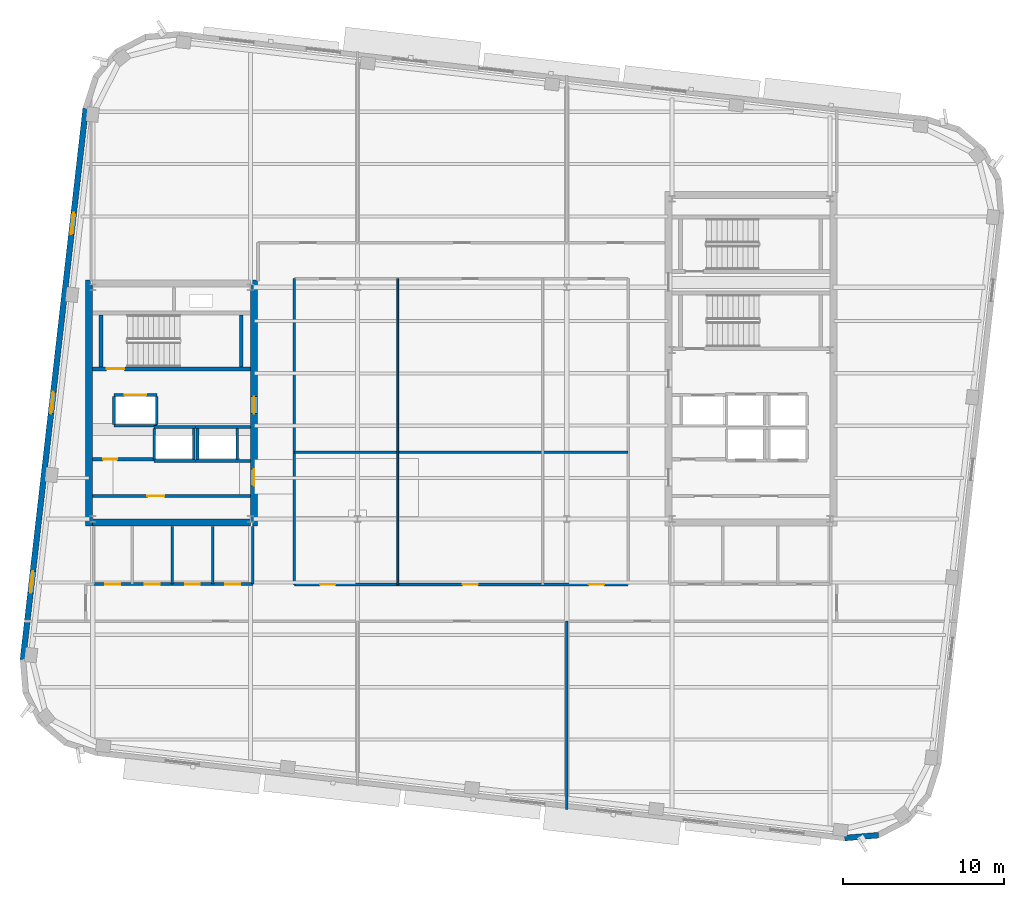
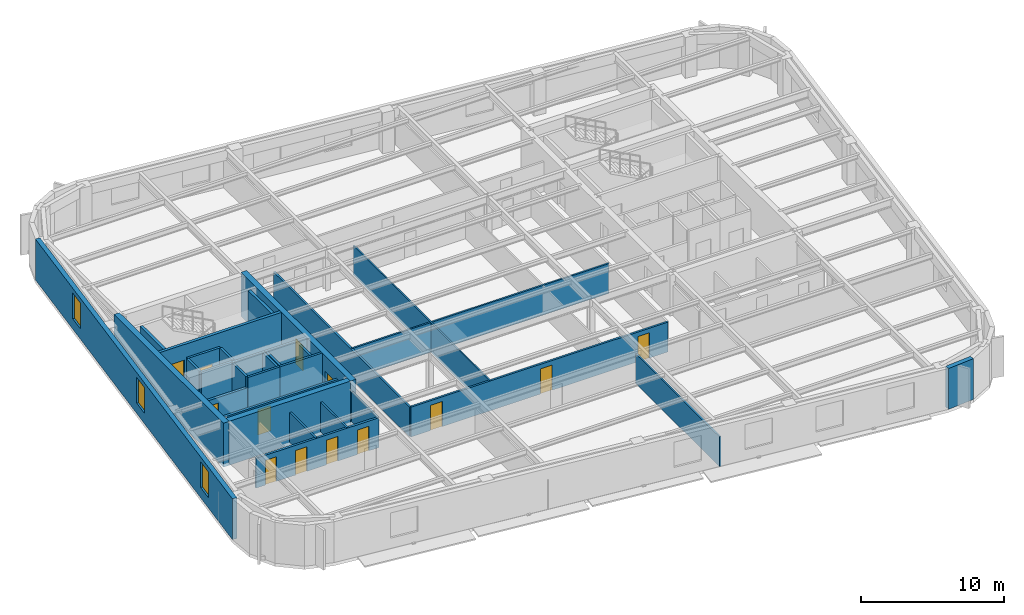
# One storey, part 6 of 14: 31 walls, 13 doors, 3 windows, 16 openings.
"""IFC4 building model written with IfcOpenShell, lengths in metres."""

from ifc_helpers import new_model, si_unit, direction, frame, frame_2d, origin, place, context, subcontext, project, spatial, rectangle, extrude, material, layer, layer_set, type_object, element, fill, save


model = new_model("IFC4")

# Units and contexts
model_context = context("Model", 3, precision=1e-05, world=origin(), true_north=direction((0.0, 1.0)))
body_context = subcontext(model_context, "Body", "Model", "MODEL_VIEW")
ifc_project = project(units=[si_unit("LENGTHUNIT", "METRE"), si_unit("AREAUNIT", "SQUARE_METRE"), si_unit("VOLUMEUNIT", "CUBIC_METRE"), si_unit("PLANEANGLEUNIT", "RADIAN"), si_unit("MASSUNIT", "GRAM", prefix="KILO")], contexts=[model_context])

# Site, building, storey
site_placement = place(None, origin())
site = spatial("IfcSite", under=ifc_project, at=site_placement, CompositionType="ELEMENT")
building_placement = place(site_placement, origin())
building = spatial("IfcBuilding", under=site, at=building_placement, Name="Kolvaren Arena Tower", CompositionType="ELEMENT")
storey_placement = place(building_placement, frame((0.0, 0.0, 247.199951171875)))
storey = spatial("IfcBuildingStorey", under=building, at=storey_placement, Name="L60", CompositionType="ELEMENT", Elevation=247.199951171875)

# Wall, openings, doors
ifc_material_1 = material(Name="Gypsum board acoustic assembly", Category="gypsum")
ifc_layer_1 = layer(ifc_material_1, 0.159912109375)
ifc_layer_set_1 = layer_set([ifc_layer_1], Name="Gypsum board acoustic assembly")
wall_type_1 = type_object("IfcWallType", Name="CORR-160", PredefinedType="PARTITIONING", material=ifc_layer_set_1)
wall_1_placement = place(storey_placement, frame((27.080078125, 15.3798828125, 0.0), z_axis=(0.0, 0.0, 1.0), x_axis=(1.0, 0.0, 0.0)))
wall_1 = element("IfcWall", 1, at=wall_1_placement, inside=storey, type_object=wall_type_1, Name="Interior Partition Wall (L60)", PredefinedType="PARTITIONING", context=body_context, shape_type="SweptSolid", body=[
    extrude(rectangle(XDim=20.739990234375, YDim=0.159912109375, at=frame_2d((10.3701171875, 0.0))), origin(), (0.0, 0.0, 1.0), 2.5400390625),
])
opening_1_placement = place(wall_1_placement, frame((1.594970703125, 0.0, 0.0)))
opening_1 = element("IfcOpeningElement", 2, at=opening_1_placement, cuts=wall_1, Name="Opening D05", PredefinedType="OPENING", context=body_context, shape_type="SweptSolid", body=[
    extrude(rectangle(XDim=0.949951171875, YDim=2.14990234375, at=frame_2d((0.47509765625, 1.074951171875))), frame((0.0, 0.08984375, 0.0), z_axis=(0.0, -1.0, 0.0), x_axis=(1.0, 0.0, 0.0)), (0.0, 0.0, 1.0), 0.179931640625),
])
opening_2_placement = place(wall_1_placement, frame((10.445068359375, 0.0, 0.0)))
opening_2 = element("IfcOpeningElement", 3, at=opening_2_placement, cuts=wall_1, Name="Opening D05", PredefinedType="OPENING", context=body_context, shape_type="SweptSolid", body=[
    extrude(rectangle(XDim=0.949951171875, YDim=2.14990234375, at=frame_2d((0.47509765625, 1.074951171875))), frame((0.0, 0.08984375, 0.0), z_axis=(0.0, -1.0, 0.0), x_axis=(1.0, 0.0, 0.0)), (0.0, 0.0, 1.0), 0.179931640625),
])
opening_3_placement = place(wall_1_placement, frame((18.294921875, 0.0, 0.0)))
opening_3 = element("IfcOpeningElement", 4, at=opening_3_placement, cuts=wall_1, Name="Opening D05", PredefinedType="OPENING", context=body_context, shape_type="SweptSolid", body=[
    extrude(rectangle(XDim=0.949951171875, YDim=2.14990234375, at=frame_2d((0.47509765625, 1.074951171875))), frame((0.0, 0.08984375, 0.0), z_axis=(0.0, -1.0, 0.0), x_axis=(1.0, 0.0, 0.0)), (0.0, 0.0, 1.0), 0.179931640625),
])
ifc_material_2 = material(Name="Solid-core oak acoustic office door", Category="wood")
door_type_1 = type_object("IfcDoorType", Name="DOOR-OF-095", OperationType="NOTDEFINED", PredefinedType="DOOR", material=ifc_material_2)
door_1_placement = place(opening_1_placement, origin())
door_1 = element("IfcDoor", 5, at=door_1_placement, inside=storey, type_object=door_type_1, Name="Client Lounge Door (L60)", OperationType="SINGLE_SWING_LEFT", OverallHeight=2.14990234375, OverallWidth=0.949951171875, PredefinedType="DOOR", context=body_context, shape_type="SweptSolid", body=[
    extrude(rectangle(XDim=0.949951171875, YDim=2.14990234375, at=frame_2d((0.47509765625, 1.074951171875))), frame((0.0, 0.02490234375, 0.0), z_axis=(0.0, -1.0, 0.0), x_axis=(1.0, 0.0, 0.0)), (0.0, 0.0, 1.0), 0.050048828125),
])
fill(opening_1, door_1)
door_2_placement = place(opening_2_placement, origin())
door_2 = element("IfcDoor", 6, at=door_2_placement, inside=storey, type_object=door_type_1, Name="Open Plan Office Door (L60)", OperationType="SINGLE_SWING_LEFT", OverallHeight=2.14990234375, OverallWidth=0.949951171875, PredefinedType="DOOR", context=body_context, shape_type="SweptSolid", body=[
    extrude(rectangle(XDim=0.949951171875, YDim=2.14990234375, at=frame_2d((0.47509765625, 1.074951171875))), frame((0.0, 0.02490234375, 0.0), z_axis=(0.0, -1.0, 0.0), x_axis=(1.0, 0.0, 0.0)), (0.0, 0.0, 1.0), 0.050048828125),
])
fill(opening_2, door_2)
door_3_placement = place(opening_3_placement, origin())
door_3 = element("IfcDoor", 7, at=door_3_placement, inside=storey, type_object=door_type_1, Name="Breakout Pantry and Kitchen Door (L60)", OperationType="SINGLE_SWING_LEFT", OverallHeight=2.14990234375, OverallWidth=0.949951171875, PredefinedType="DOOR", context=body_context, shape_type="SweptSolid", body=[
    extrude(rectangle(XDim=0.949951171875, YDim=2.14990234375, at=frame_2d((0.47509765625, 1.074951171875))), frame((0.0, 0.02490234375, 0.0), z_axis=(0.0, -1.0, 0.0), x_axis=(1.0, 0.0, 0.0)), (0.0, 0.0, 1.0), 0.050048828125),
])
fill(opening_3, door_3)

# Walls
wall_2_placement = place(storey_placement, frame((27.080078125, 15.3798828125, 0.0), z_axis=(0.0, 0.0, 1.0), x_axis=(0.0, 1.0, 0.0)))
element("IfcWall", 8, at=wall_2_placement, inside=storey, type_object=wall_type_1, Name="Interior Partition Wall (L60)", PredefinedType="PARTITIONING", context=body_context, shape_type="SweptSolid", body=[
    extrude(rectangle(XDim=19.0, YDim=0.159912109375, at=frame_2d((9.5, 0.0))), origin(), (0.0, 0.0, 1.0), 2.5400390625),
])
ifc_material_3 = material(Name="Concrete 55 MPa", Category="concrete")
ifc_layer_2 = layer(ifc_material_3, 0.449951171875)
ifc_layer_set_2 = layer_set([ifc_layer_2], Name="Concrete 55 MPa")
wall_type_2 = type_object("IfcWallType", Name="CWALL-450", PredefinedType="SHEAR", material=ifc_layer_set_2)
wall_3_placement = place(storey_placement, frame((14.324951171875, 19.0, -0.27001953125), z_axis=(0.0, 0.0, 1.0), x_axis=(0.0, 1.0, 0.0)))
element("IfcWall", 9, at=wall_3_placement, inside=storey, type_object=wall_type_2, Name="Core Shear Wall WC-WEST (L60)", PredefinedType="SHEAR", context=body_context, shape_type="SweptSolid", body=[
    extrude(rectangle(XDim=15.300048828125, YDim=0.449951171875, at=frame_2d((7.64990234375, 0.0))), origin(), (0.0, 0.0, 1.0), 3.75),
])

# Wall, openings, doors
wall_4_placement = place(storey_placement, frame((24.574951171875, 19.0, -0.27001953125), z_axis=(0.0, 0.0, 1.0), x_axis=(0.0, 1.0, 0.0)))
wall_4 = element("IfcWall", 10, at=wall_4_placement, inside=storey, type_object=wall_type_2, Name="Core Shear Wall WC-EAST (L60)", PredefinedType="SHEAR", context=body_context, shape_type="SweptSolid", body=[
    extrude(rectangle(XDim=15.300048828125, YDim=0.449951171875, at=frame_2d((7.64990234375, 0.0))), origin(), (0.0, 0.0, 1.0), 3.75),
])
opening_4_placement = place(wall_4_placement, frame((2.5, 0.0, 0.27001953125)))
opening_4 = element("IfcOpeningElement", 11, at=opening_4_placement, cuts=wall_4, Name="Opening D04", PredefinedType="OPENING", context=body_context, shape_type="SweptSolid", body=[
    extrude(rectangle(XDim=1.050048828125, YDim=2.14990234375, at=frame_2d((0.52490234375, 1.074951171875))), frame((0.0, 0.23486328125, 0.0), z_axis=(0.0, -1.0, 0.0), x_axis=(1.0, 0.0, 0.0)), (0.0, 0.0, 1.0), 0.469970703125),
])
opening_5_placement = place(wall_4_placement, frame((7.0, 0.0, 0.27001953125)))
opening_5 = element("IfcOpeningElement", 12, at=opening_5_placement, cuts=wall_4, Name="Opening D04", PredefinedType="OPENING", context=body_context, shape_type="SweptSolid", body=[
    extrude(rectangle(XDim=1.050048828125, YDim=2.14990234375, at=frame_2d((0.52490234375, 1.074951171875))), frame((0.0, 0.23486328125, 0.0), z_axis=(0.0, -1.0, 0.0), x_axis=(1.0, 0.0, 0.0)), (0.0, 0.0, 1.0), 0.469970703125),
])
ifc_material_4 = material(Name="Fire-rated steel lobby door", Category="steel")
door_type_2 = type_object("IfcDoorType", Name="DOOR-FF-105", OperationType="NOTDEFINED", PredefinedType="DOOR", material=ifc_material_4)
door_4_placement = place(opening_4_placement, origin())
door_4 = element("IfcDoor", 13, at=door_4_placement, inside=storey, type_object=door_type_2, Name="West Lift Lobby Fire Door (L60)", OperationType="SINGLE_SWING_LEFT", OverallHeight=2.14990234375, OverallWidth=1.050048828125, PredefinedType="DOOR", context=body_context, shape_type="SweptSolid", body=[
    extrude(rectangle(XDim=1.050048828125, YDim=2.14990234375, at=frame_2d((0.52490234375, 1.074951171875))), frame((0.0, 0.02490234375, 0.0), z_axis=(0.0, -1.0, 0.0), x_axis=(1.0, 0.0, 0.0)), (0.0, 0.0, 1.0), 0.050048828125),
])
fill(opening_4, door_4)
door_5_placement = place(opening_5_placement, origin())
door_5 = element("IfcDoor", 14, at=door_5_placement, inside=storey, type_object=door_type_2, Name="West Firefighter Vestibule Door (L60)", OperationType="SINGLE_SWING_RIGHT", OverallHeight=2.14990234375, OverallWidth=1.050048828125, PredefinedType="DOOR", context=body_context, shape_type="SweptSolid", body=[
    extrude(rectangle(XDim=1.050048828125, YDim=2.14990234375, at=frame_2d((0.52490234375, 1.074951171875))), frame((0.0, 0.02490234375, 0.0), z_axis=(0.0, -1.0, 0.0), x_axis=(1.0, 0.0, 0.0)), (0.0, 0.0, 1.0), 0.050048828125),
])
fill(opening_5, door_5)

# Walls
wall_5_placement = place(storey_placement, frame((14.550048828125, 19.22509765625, -0.27001953125), z_axis=(0.0, 0.0, 1.0), x_axis=(1.0, 0.0, 0.0)))
element("IfcWall", 15, at=wall_5_placement, inside=storey, type_object=wall_type_2, Name="Core Shear Wall WC-SOUTH (L60)", PredefinedType="SHEAR", context=body_context, shape_type="SweptSolid", body=[
    extrude(rectangle(XDim=9.800048828125, YDim=0.449951171875, at=frame_2d((4.89990234375, 0.0))), origin(), (0.0, 0.0, 1.0), 3.75),
])
ifc_material_5 = material(Name="Precast concrete C50/60", Category="concrete")
ifc_layer_3 = layer(ifc_material_5, 0.360107421875)
ifc_layer_set_3 = layer_set([ifc_layer_3], Name="Precast concrete C50/60")
wall_type_3 = type_object("IfcWallType", Name="EXT-PIER2", PredefinedType="SOLIDWALL", material=ifc_layer_set_3)
wall_6_placement = place(storey_placement, frame((63.370361328125, -0.199462890625, 0.0), z_axis=(0.0, 0.0, 1.0), x_axis=(-0.996562518477, -0.082844111233, 0.0)))
element("IfcWall", 16, at=wall_6_placement, inside=storey, type_object=wall_type_3, Name="Exterior Precast Masonry-Frame Wall (L60)", PredefinedType="SOLIDWALL", context=body_context, shape_type="SweptSolid", body=[
    extrude(rectangle(XDim=2.107177734375, YDim=0.360107421875, at=frame_2d((1.0537109375, 0.0))), origin(), (0.0, 0.0, 1.0), 3.47998046875),
])

# Wall, openings, windows
wall_7_placement = place(storey_placement, frame((10.211181640625, 10.70068359375, 0.0), z_axis=(0.0, 0.0, 1.0), x_axis=(0.113203107947, 0.993571867733, 0.0)))
wall_7 = element("IfcWall", 17, at=wall_7_placement, inside=storey, type_object=wall_type_3, Name="Exterior Precast Masonry-Frame Wall (L60)", PredefinedType="SOLIDWALL", context=body_context, shape_type="SweptSolid", body=[
    extrude(rectangle(XDim=34.5, YDim=0.360107421875, at=frame_2d((17.25, 0.0))), origin(), (0.0, 0.0, 1.0), 3.47998046875),
])
opening_6_placement = place(wall_7_placement, frame((4.199951171875, 0.0, 0.8798828125)))
opening_6 = element("IfcOpeningElement", 18, at=opening_6_placement, cuts=wall_7, Name="Opening W04", PredefinedType="OPENING", context=body_context, shape_type="SweptSolid", body=[
    extrude(rectangle(XDim=1.35009765625, YDim=2.199951171875, at=frame_2d((0.675048828125, 1.10009765625))), frame((0.0, 0.18994140625, 0.0), z_axis=(0.0, -1.0, 0.0), x_axis=(1.0, 0.0, 0.0)), (0.0, 0.0, 1.0), 0.380126953125),
])
opening_7_placement = place(wall_7_placement, frame((15.39990234375, 0.0, 0.8798828125)))
opening_7 = element("IfcOpeningElement", 19, at=opening_7_placement, cuts=wall_7, Name="Opening W04", PredefinedType="OPENING", context=body_context, shape_type="SweptSolid", body=[
    extrude(rectangle(XDim=1.35009765625, YDim=2.199951171875, at=frame_2d((0.675048828125, 1.10009765625))), frame((0.0, 0.18994140625, 0.0), z_axis=(0.0, -1.0, 0.0), x_axis=(1.0, 0.0, 0.0)), (0.0, 0.0, 1.0), 0.380126953125),
])
opening_8_placement = place(wall_7_placement, frame((26.60009765625, 0.0, 0.8798828125)))
opening_8 = element("IfcOpeningElement", 20, at=opening_8_placement, cuts=wall_7, Name="Opening W04", PredefinedType="OPENING", context=body_context, shape_type="SweptSolid", body=[
    extrude(rectangle(XDim=1.35009765625, YDim=2.199951171875, at=frame_2d((0.675048828125, 1.10009765625))), frame((0.0, 0.18994140625, 0.0), z_axis=(0.0, -1.0, 0.0), x_axis=(1.0, 0.0, 0.0)), (0.0, 0.0, 1.0), 0.380126953125),
])
ifc_material_6 = material(Name="Triple-glazed curved-facet corner window", Category="glass")
window_type = type_object("IfcWindowType", Name="WIN-CRN-A", PartitioningType="SINGLE_PANEL", PredefinedType="WINDOW", material=ifc_material_6)
window_1_placement = place(opening_6_placement, origin())
window_1 = element("IfcWindow", 21, at=window_1_placement, inside=storey, type_object=window_type, Name="End-Wall Punched Window (L60)", OverallHeight=2.199951171875, OverallWidth=1.35009765625, PartitioningType="SINGLE_PANEL", PredefinedType="WINDOW", context=body_context, shape_type="SweptSolid", body=[
    extrude(rectangle(XDim=1.35009765625, YDim=2.199951171875, at=frame_2d((0.675048828125, 1.10009765625))), frame((0.0, 0.030029296875, 0.0), z_axis=(0.0, -1.0, 0.0), x_axis=(1.0, 0.0, 0.0)), (0.0, 0.0, 1.0), 0.06005859375),
])
fill(opening_6, window_1)
window_2_placement = place(opening_7_placement, origin())
window_2 = element("IfcWindow", 22, at=window_2_placement, inside=storey, type_object=window_type, Name="End-Wall Punched Window (L60)", OverallHeight=2.199951171875, OverallWidth=1.35009765625, PartitioningType="SINGLE_PANEL", PredefinedType="WINDOW", context=body_context, shape_type="SweptSolid", body=[
    extrude(rectangle(XDim=1.35009765625, YDim=2.199951171875, at=frame_2d((0.675048828125, 1.10009765625))), frame((0.0, 0.030029296875, 0.0), z_axis=(0.0, -1.0, 0.0), x_axis=(1.0, 0.0, 0.0)), (0.0, 0.0, 1.0), 0.06005859375),
])
fill(opening_7, window_2)
window_3_placement = place(opening_8_placement, origin())
window_3 = element("IfcWindow", 23, at=window_3_placement, inside=storey, type_object=window_type, Name="End-Wall Punched Window (L60)", OverallHeight=2.199951171875, OverallWidth=1.35009765625, PartitioningType="SINGLE_PANEL", PredefinedType="WINDOW", context=body_context, shape_type="SweptSolid", body=[
    extrude(rectangle(XDim=1.35009765625, YDim=2.199951171875, at=frame_2d((0.675048828125, 1.10009765625))), frame((0.0, 0.030029296875, 0.0), z_axis=(0.0, -1.0, 0.0), x_axis=(1.0, 0.0, 0.0)), (0.0, 0.0, 1.0), 0.06005859375),
])
fill(opening_8, window_3)

# Wall, opening, door
ifc_material_7 = material(Name="Concrete 40 MPa", Category="concrete")
ifc_layer_4 = layer(ifc_material_7, 0.199951171875)
ifc_layer_set_4 = layer_set([ifc_layer_4], Name="Concrete 40 MPa")
wall_type_4 = type_object("IfcWallType", Name="LOBBY-200", PredefinedType="SOLIDWALL", material=ifc_layer_set_4)
wall_8_placement = place(storey_placement, frame((14.550048828125, 20.8798828125, 0.0), z_axis=(0.0, 0.0, 1.0), x_axis=(1.0, 0.0, 0.0)))
wall_8 = element("IfcWall", 24, at=wall_8_placement, inside=storey, type_object=wall_type_4, Name="Core Shaft Wall (L60)", PredefinedType="SOLIDWALL", context=body_context, shape_type="SweptSolid", body=[
    extrude(rectangle(XDim=9.800048828125, YDim=0.199951171875, at=frame_2d((4.89990234375, 0.0))), origin(), (0.0, 0.0, 1.0), 2.5400390625),
])
opening_9_placement = place(wall_8_placement, frame((3.39990234375, 0.0, 0.0)))
opening_9 = element("IfcOpeningElement", 25, at=opening_9_placement, cuts=wall_8, Name="Opening D04", PredefinedType="OPENING", context=body_context, shape_type="SweptSolid", body=[
    extrude(rectangle(XDim=1.050048828125, YDim=2.14990234375, at=frame_2d((0.52490234375, 1.074951171875))), frame((0.0, 0.10986328125, 0.0), z_axis=(0.0, -1.0, 0.0), x_axis=(1.0, 0.0, 0.0)), (0.0, 0.0, 1.0), 0.219970703125),
])
door_6_placement = place(opening_9_placement, origin())
door_6 = element("IfcDoor", 26, at=door_6_placement, inside=storey, type_object=door_type_2, Name="West IT Room Fire Door (L60)", OperationType="SINGLE_SWING_LEFT", OverallHeight=2.14990234375, OverallWidth=1.050048828125, PredefinedType="DOOR", context=body_context, shape_type="SweptSolid", body=[
    extrude(rectangle(XDim=1.050048828125, YDim=2.14990234375, at=frame_2d((0.52490234375, 1.074951171875))), frame((0.0, 0.02490234375, 0.0), z_axis=(0.0, -1.0, 0.0), x_axis=(1.0, 0.0, 0.0)), (0.0, 0.0, 1.0), 0.050048828125),
])
fill(opening_9, door_6)

wall_9_placement = place(storey_placement, frame((14.550048828125, 23.159912109375, 0.0), z_axis=(0.0, 0.0, 1.0), x_axis=(1.0, 0.0, 0.0)))
wall_9 = element("IfcWall", 27, at=wall_9_placement, inside=storey, type_object=wall_type_4, Name="Core Shaft Wall (L60)", PredefinedType="SOLIDWALL", context=body_context, shape_type="SweptSolid", body=[
    extrude(rectangle(XDim=3.820068359375, YDim=0.199951171875, at=frame_2d((1.91015625, 0.0))), origin(), (0.0, 0.0, 1.0), 2.5400390625),
])
opening_10_placement = place(wall_9_placement, frame((0.64990234375, 0.0, 0.0)))
opening_10 = element("IfcOpeningElement", 28, at=opening_10_placement, cuts=wall_9, Name="Opening D09", PredefinedType="OPENING", context=body_context, shape_type="SweptSolid", body=[
    extrude(rectangle(XDim=0.860107421875, YDim=2.050048828125, at=frame_2d((0.43017578125, 1.02490234375))), frame((0.0, 0.10986328125, 0.0), z_axis=(0.0, -1.0, 0.0), x_axis=(1.0, 0.0, 0.0)), (0.0, 0.0, 1.0), 0.219970703125),
])
ifc_material_8 = material(Name="Fire-rated steel riser access door", Category="steel")
door_type_3 = type_object("IfcDoorType", Name="DOOR-RS-086", OperationType="NOTDEFINED", PredefinedType="DOOR", material=ifc_material_8)
door_7_placement = place(opening_10_placement, origin())
door_7 = element("IfcDoor", 29, at=door_7_placement, inside=storey, type_object=door_type_3, Name="West Document Archive Riser Door (L60)", OperationType="SINGLE_SWING_RIGHT", OverallHeight=2.050048828125, OverallWidth=0.860107421875, PredefinedType="DOOR", context=body_context, shape_type="SweptSolid", body=[
    extrude(rectangle(XDim=0.860107421875, YDim=2.050048828125, at=frame_2d((0.43017578125, 1.02490234375))), frame((0.0, 0.02490234375, 0.0), z_axis=(0.0, -1.0, 0.0), x_axis=(1.0, 0.0, 0.0)), (0.0, 0.0, 1.0), 0.050048828125),
])
fill(opening_10, door_7)

# Walls
ifc_material_9 = material(Name="Gypsum board partition assembly", Category="gypsum")
ifc_layer_5 = layer(ifc_material_9, 0.114990234375)
ifc_layer_set_5 = layer_set([ifc_layer_5], Name="Gypsum board partition assembly")
wall_type_5 = type_object("IfcWallType", Name="PART-115", PredefinedType="PARTITIONING", material=ifc_layer_set_5)
wall_10_placement = place(storey_placement, frame((33.5, 15.3798828125, 0.0), z_axis=(0.0, 0.0, 1.0), x_axis=(0.0, 1.0, 0.0)))
element("IfcWall", 30, at=wall_10_placement, inside=storey, type_object=wall_type_5, Name="Interior Partition Wall (L60)", PredefinedType="PARTITIONING", context=body_context, shape_type="SweptSolid", body=[
    extrude(rectangle(XDim=19.0, YDim=0.114990234375, at=frame_2d((9.5, 0.0))), origin(), (0.0, 0.0, 1.0), 2.5400390625),
])
ifc_layer_6 = layer(ifc_material_9, 0.135009765625)
ifc_layer_set_6 = layer_set([ifc_layer_6], Name="Gypsum board partition assembly")
wall_type_6 = type_object("IfcWallType", Name="PART-135", PredefinedType="PARTITIONING", material=ifc_layer_set_6)
wall_11_placement = place(storey_placement, frame((44.0, 1.416015625, 0.0), z_axis=(0.0, 0.0, 1.0), x_axis=(0.0, 1.0, 0.0)))
element("IfcWall", 31, at=wall_11_placement, inside=storey, type_object=wall_type_6, Name="Interior Partition Wall (L60)", PredefinedType="PARTITIONING", context=body_context, shape_type="SweptSolid", body=[
    extrude(rectangle(XDim=11.68408203125, YDim=0.135009765625, at=frame_2d((5.842041015625, 0.0))), origin(), (0.0, 0.0, 1.0), 2.5400390625),
])
wall_12_placement = place(storey_placement, frame((27.080078125, 23.60009765625, 0.0), z_axis=(0.0, 0.0, 1.0), x_axis=(1.0, 0.0, 0.0)))
element("IfcWall", 32, at=wall_12_placement, inside=storey, type_object=wall_type_6, Name="Interior Partition Wall (L60)", PredefinedType="PARTITIONING", context=body_context, shape_type="SweptSolid", body=[
    extrude(rectangle(XDim=20.739990234375, YDim=0.135009765625, at=frame_2d((10.3701171875, 0.0))), origin(), (0.0, 0.0, 1.0), 2.5400390625),
])

# Wall, opening, door
ifc_material_10 = material(Name="Concrete 45 MPa", Category="concrete")
ifc_layer_7 = layer(ifc_material_10, 0.25)
ifc_layer_set_7 = layer_set([ifc_layer_7], Name="Concrete 45 MPa")
wall_type_7 = type_object("IfcWallType", Name="SHAFT-250", PredefinedType="SOLIDWALL", material=ifc_layer_set_7)
wall_13_placement = place(storey_placement, frame((24.35009765625, 28.780029296875, 0.0), z_axis=(0.0, 0.0, 1.0), x_axis=(-1.0, 0.0, 0.0)))
wall_13 = element("IfcWall", 33, at=wall_13_placement, inside=storey, type_object=wall_type_7, Name="Core Shaft Wall (L60)", PredefinedType="SOLIDWALL", context=body_context, shape_type="SweptSolid", body=[
    extrude(rectangle(XDim=9.800048828125, YDim=0.239990234375, at=frame_2d((4.89990234375, 0.0))), origin(), (0.0, 0.0, 1.0), 3.47998046875),
])
opening_11_placement = place(wall_13_placement, frame((7.830078125, 0.0, 0.0)))
opening_11 = element("IfcOpeningElement", 34, at=opening_11_placement, cuts=wall_13, Name="Opening D03", PredefinedType="OPENING", context=body_context, shape_type="SweptSolid", body=[
    extrude(rectangle(XDim=1.10009765625, YDim=2.14990234375, at=frame_2d((0.550048828125, 1.074951171875))), frame((0.0, 0.1298828125, 0.0), z_axis=(0.0, -1.0, 0.0), x_axis=(1.0, 0.0, 0.0)), (0.0, 0.0, 1.0), 0.260009765625),
])
ifc_material_11 = material(Name="Fire-rated steel exit stair door", Category="steel")
door_type_4 = type_object("IfcDoorType", Name="DOOR-ST-110", OperationType="NOTDEFINED", PredefinedType="DOOR", material=ifc_material_11)
door_8_placement = place(opening_11_placement, origin())
door_8 = element("IfcDoor", 35, at=door_8_placement, inside=storey, type_object=door_type_4, Name="Stair ST-W1 Fire Door (L60)", OperationType="SINGLE_SWING_RIGHT", OverallHeight=2.14990234375, OverallWidth=1.10009765625, PredefinedType="DOOR", context=body_context, shape_type="SweptSolid", body=[
    extrude(rectangle(XDim=1.10009765625, YDim=2.14990234375, at=frame_2d((0.550048828125, 1.074951171875))), frame((0.0, 0.02490234375, 0.0), z_axis=(0.0, -1.0, 0.0), x_axis=(1.0, 0.0, 0.0)), (0.0, 0.0, 1.0), 0.050048828125),
])
fill(opening_11, door_8)

# Walls
for number, where, z_axis, x_axis, name in (
    (36, (15.06005859375, 28.89990234375, 0.0), (0.0, 0.0, 1.0), (0.0, 1.0, 0.0), "Core Shaft Wall (L60)"),
    (37, (23.780029296875, 28.89990234375, 0.0), (0.0, 0.0, 1.0), (0.0, 1.0, 0.0), "Core Shaft Wall (L60)"),
):
    element("IfcWall", number, at=place(storey_placement, frame(where, z_axis=z_axis, x_axis=x_axis)), inside=storey, type_object=wall_type_7, Name=name, PredefinedType="SOLIDWALL", context=body_context, shape_type="SweptSolid", body=[
        extrude(rectangle(XDim=3.22998046875, YDim=0.239990234375, at=frame_2d((1.614990234375, 0.0))), origin(), (0.0, 0.0, 1.0), 3.47998046875),
    ])
for number, where, z_axis, x_axis, name in (
    (38, (18.3701171875, 25.155029296875, 0.0), (0.0, 0.0, 1.0), (1.0, 0.0, 0.0), "Core Shaft Wall (L60)"),
    (39, (18.3701171875, 23.044921875, 0.0), (0.0, 0.0, 1.0), (1.0, 0.0, 0.0), "Core Shaft Wall (L60)"),
):
    element("IfcWall", number, at=place(storey_placement, frame(where, z_axis=z_axis, x_axis=x_axis)), inside=storey, type_object=wall_type_7, Name=name, PredefinedType="SOLIDWALL", context=body_context, shape_type="SweptSolid", body=[
        extrude(rectangle(XDim=2.579833984375, YDim=0.179931640625, at=frame_2d((1.2900390625, 0.0))), origin(), (0.0, 0.0, 1.0), 3.47998046875),
    ])
for number, where, z_axis, x_axis, name in (
    (40, (18.3701171875, 23.135009765625, 0.0), (0.0, 0.0, 1.0), (0.0, 1.0, 0.0), "Core Shaft Wall (L60)"),
    (41, (20.830078125, 23.135009765625, 0.0), (0.0, 0.0, 1.0), (0.0, 1.0, 0.0), "Core Shaft Wall (L60)"),
):
    element("IfcWall", number, at=place(storey_placement, frame(where, z_axis=z_axis, x_axis=x_axis)), inside=storey, type_object=wall_type_7, Name=name, PredefinedType="SOLIDWALL", context=body_context, shape_type="SweptSolid", body=[
        extrude(rectangle(XDim=1.929931640625, YDim=0.179931640625, at=frame_2d((0.96484375, 0.0))), origin(), (0.0, 0.0, 1.0), 3.47998046875),
    ])
for number, where, z_axis, x_axis, name in (
    (42, (20.949951171875, 25.155029296875, 0.0), (0.0, 0.0, 1.0), (1.0, 0.0, 0.0), "Core Shaft Wall (L60)"),
    (43, (20.949951171875, 23.044921875, 0.0), (0.0, 0.0, 1.0), (1.0, 0.0, 0.0), "Core Shaft Wall (L60)"),
):
    element("IfcWall", number, at=place(storey_placement, frame(where, z_axis=z_axis, x_axis=x_axis)), inside=storey, type_object=wall_type_7, Name=name, PredefinedType="SOLIDWALL", context=body_context, shape_type="SweptSolid", body=[
        extrude(rectangle(XDim=3.400146484375, YDim=0.179931640625, at=frame_2d((1.7001953125, 0.0))), origin(), (0.0, 0.0, 1.0), 3.47998046875),
    ])
for number, where, z_axis, x_axis, name in (
    (44, (21.070068359375, 23.135009765625, 0.0), (0.0, 0.0, 1.0), (0.0, 1.0, 0.0), "Core Shaft Wall (L60)"),
    (45, (23.530029296875, 23.135009765625, 0.0), (0.0, 0.0, 1.0), (0.0, 1.0, 0.0), "Core Shaft Wall (L60)"),
):
    element("IfcWall", number, at=place(storey_placement, frame(where, z_axis=z_axis, x_axis=x_axis)), inside=storey, type_object=wall_type_7, Name=name, PredefinedType="SOLIDWALL", context=body_context, shape_type="SweptSolid", body=[
        extrude(rectangle(XDim=1.929931640625, YDim=0.179931640625, at=frame_2d((0.96484375, 0.0))), origin(), (0.0, 0.0, 1.0), 3.47998046875),
    ])

# Wall, opening, door
wall_14_placement = place(storey_placement, frame((15.8701171875, 27.155029296875, 0.0), z_axis=(0.0, 0.0, 1.0), x_axis=(1.0, 0.0, 0.0)))
wall_14 = element("IfcWall", 46, at=wall_14_placement, inside=storey, type_object=wall_type_7, Name="Core Shaft Wall (L60)", PredefinedType="SOLIDWALL", context=body_context, shape_type="SweptSolid", body=[
    extrude(rectangle(XDim=2.659912109375, YDim=0.179931640625, at=frame_2d((1.330078125, 0.0))), origin(), (0.0, 0.0, 1.0), 3.47998046875),
])
opening_12_placement = place(wall_14_placement, frame((0.655029296875, 0.0, 0.0)))
opening_12 = element("IfcOpeningElement", 47, at=opening_12_placement, cuts=wall_14, Name="Opening LD2", PredefinedType="OPENING", context=body_context, shape_type="SweptSolid", body=[
    extrude(rectangle(XDim=1.35009765625, YDim=2.300048828125, at=frame_2d((0.675048828125, 1.14990234375))), frame((0.0, 0.099853515625, 0.0), z_axis=(0.0, -1.0, 0.0), x_axis=(1.0, 0.0, 0.0)), (0.0, 0.0, 1.0), 0.199951171875),
])
ifc_material_12 = material(Name="Stainless steel firefighter lift landing door", Category="steel")
door_type_5 = type_object("IfcDoorType", Name="DOOR-LD-135", OperationType="DOUBLE_DOOR_SLIDING", PredefinedType="DOOR", material=ifc_material_12)
door_9_placement = place(opening_12_placement, origin())
door_9 = element("IfcDoor", 48, at=door_9_placement, inside=storey, type_object=door_type_5, Name="Firefighter Lift FF-W1 Landing Door (L60)", OperationType="DOUBLE_DOOR_SLIDING", OverallHeight=2.300048828125, OverallWidth=1.35009765625, PredefinedType="DOOR", context=body_context, shape_type="SweptSolid", body=[
    extrude(rectangle(XDim=1.35009765625, YDim=2.300048828125, at=frame_2d((0.675048828125, 1.14990234375))), frame((0.0, 0.02490234375, 0.0), z_axis=(0.0, -1.0, 0.0), x_axis=(1.0, 0.0, 0.0)), (0.0, 0.0, 1.0), 0.050048828125),
])
fill(opening_12, door_9)

# Walls
wall_15_placement = place(storey_placement, frame((15.8701171875, 25.2451171875, 0.0), z_axis=(0.0, 0.0, 1.0), x_axis=(1.0, 0.0, 0.0)))
element("IfcWall", 49, at=wall_15_placement, inside=storey, type_object=wall_type_7, Name="Core Shaft Wall (L60)", PredefinedType="SOLIDWALL", context=body_context, shape_type="SweptSolid", body=[
    extrude(rectangle(XDim=2.659912109375, YDim=0.179931640625, at=frame_2d((1.330078125, 0.0))), origin(), (0.0, 0.0, 1.0), 3.47998046875),
])
for number, where, z_axis, x_axis, name in (
    (50, (15.8701171875, 25.3349609375, 0.0), (0.0, 0.0, 1.0), (0.0, 1.0, 0.0), "Core Shaft Wall (L60)"),
    (51, (18.530029296875, 25.3349609375, 0.0), (0.0, 0.0, 1.0), (0.0, 1.0, 0.0), "Core Shaft Wall (L60)"),
):
    element("IfcWall", number, at=place(storey_placement, frame(where, z_axis=z_axis, x_axis=x_axis)), inside=storey, type_object=wall_type_7, Name=name, PredefinedType="SOLIDWALL", context=body_context, shape_type="SweptSolid", body=[
        extrude(rectangle(XDim=1.72998046875, YDim=0.179931640625, at=frame_2d((0.864990234375, 0.0))), origin(), (0.0, 0.0, 1.0), 3.47998046875),
    ])
ifc_material_13 = material(Name="Moisture-resistant gypsum assembly", Category="gypsum")
ifc_layer_8 = layer(ifc_material_13, 0.14990234375)
ifc_layer_set_8 = layer_set([ifc_layer_8], Name="Moisture-resistant gypsum assembly")
wall_type_8 = type_object("IfcWallType", Name="WETW-150", PredefinedType="PARTITIONING", material=ifc_layer_set_8)
for number, where, z_axis, x_axis, name in (
    (52, (19.5, 15.39990234375, 0.0), (0.0, 0.0, 1.0), (0.0, 1.0, 0.0), "Interior Partition Wall (L60)"),
    (53, (22.0, 15.39990234375, 0.0), (0.0, 0.0, 1.0), (0.0, 1.0, 0.0), "Interior Partition Wall (L60)"),
):
    element("IfcWall", number, at=place(storey_placement, frame(where, z_axis=z_axis, x_axis=x_axis)), inside=storey, type_object=wall_type_8, Name=name, PredefinedType="PARTITIONING", context=body_context, shape_type="SweptSolid", body=[
        extrude(rectangle(XDim=3.580078125, YDim=0.14990234375, at=frame_2d((1.7900390625, 0.0))), origin(), (0.0, 0.0, 1.0), 2.5400390625),
    ])

# Wall, openings, doors
wall_16_placement = place(storey_placement, frame((14.60009765625, 15.39990234375, 0.0), z_axis=(0.0, 0.0, 1.0), x_axis=(1.0, 0.0, 0.0)))
wall_16 = element("IfcWall", 54, at=wall_16_placement, inside=storey, type_object=wall_type_8, Name="Interior Partition Wall (L60)", PredefinedType="PARTITIONING", context=body_context, shape_type="SweptSolid", body=[
    extrude(rectangle(XDim=9.89990234375, YDim=0.179931640625, at=frame_2d((4.949951171875, 0.0))), origin(), (0.0, 0.0, 1.0), 2.5400390625),
])
opening_13_placement = place(wall_16_placement, frame((0.739990234375, 0.0, 0.0)))
opening_13 = element("IfcOpeningElement", 55, at=opening_13_placement, cuts=wall_16, Name="Opening D07", PredefinedType="OPENING", context=body_context, shape_type="SweptSolid", body=[
    extrude(rectangle(XDim=0.919921875, YDim=2.10009765625, at=frame_2d((0.4599609375, 1.050048828125))), frame((0.0, 0.099853515625, 0.0), z_axis=(0.0, -1.0, 0.0), x_axis=(1.0, 0.0, 0.0)), (0.0, 0.0, 1.0), 0.199951171875),
])
opening_14_placement = place(wall_16_placement, frame((3.18994140625, 0.0, 0.0)))
opening_14 = element("IfcOpeningElement", 56, at=opening_14_placement, cuts=wall_16, Name="Opening D07", PredefinedType="OPENING", context=body_context, shape_type="SweptSolid", body=[
    extrude(rectangle(XDim=0.919921875, YDim=2.10009765625, at=frame_2d((0.4599609375, 1.050048828125))), frame((0.0, 0.099853515625, 0.0), z_axis=(0.0, -1.0, 0.0), x_axis=(1.0, 0.0, 0.0)), (0.0, 0.0, 1.0), 0.199951171875),
])
opening_15_placement = place(wall_16_placement, frame((5.68994140625, 0.0, 0.0)))
opening_15 = element("IfcOpeningElement", 57, at=opening_15_placement, cuts=wall_16, Name="Opening D07", PredefinedType="OPENING", context=body_context, shape_type="SweptSolid", body=[
    extrude(rectangle(XDim=0.919921875, YDim=2.10009765625, at=frame_2d((0.4599609375, 1.050048828125))), frame((0.0, 0.099853515625, 0.0), z_axis=(0.0, -1.0, 0.0), x_axis=(1.0, 0.0, 0.0)), (0.0, 0.0, 1.0), 0.199951171875),
])
opening_16_placement = place(wall_16_placement, frame((8.18994140625, 0.0, 0.0)))
opening_16 = element("IfcOpeningElement", 58, at=opening_16_placement, cuts=wall_16, Name="Opening D07", PredefinedType="OPENING", context=body_context, shape_type="SweptSolid", body=[
    extrude(rectangle(XDim=0.919921875, YDim=2.10009765625, at=frame_2d((0.4599609375, 1.050048828125))), frame((0.0, 0.099853515625, 0.0), z_axis=(0.0, -1.0, 0.0), x_axis=(1.0, 0.0, 0.0)), (0.0, 0.0, 1.0), 0.199951171875),
])
ifc_material_14 = material(Name="Laminate universal washroom door", Category="wood")
door_type_6 = type_object("IfcDoorType", Name="DOOR-WC-092", OperationType="NOTDEFINED", PredefinedType="DOOR", material=ifc_material_14)
door_10_placement = place(opening_13_placement, origin())
door_10 = element("IfcDoor", 59, at=door_10_placement, inside=storey, type_object=door_type_6, Name="Cleaner and Janitor Store Door (L60)", OperationType="SINGLE_SWING_RIGHT", OverallHeight=2.10009765625, OverallWidth=0.919921875, PredefinedType="DOOR", context=body_context, shape_type="SweptSolid", body=[
    extrude(rectangle(XDim=0.919921875, YDim=2.10009765625, at=frame_2d((0.4599609375, 1.050048828125))), frame((0.0, 0.02490234375, 0.0), z_axis=(0.0, -1.0, 0.0), x_axis=(1.0, 0.0, 0.0)), (0.0, 0.0, 1.0), 0.050048828125),
])
fill(opening_13, door_10)
door_11_placement = place(opening_14_placement, origin())
door_11 = element("IfcDoor", 60, at=door_11_placement, inside=storey, type_object=door_type_6, Name="Universal Barrier-Free Washroom Door (L60)", OperationType="SINGLE_SWING_LEFT", OverallHeight=2.10009765625, OverallWidth=0.919921875, PredefinedType="DOOR", context=body_context, shape_type="SweptSolid", body=[
    extrude(rectangle(XDim=0.919921875, YDim=2.10009765625, at=frame_2d((0.4599609375, 1.050048828125))), frame((0.0, 0.02490234375, 0.0), z_axis=(0.0, -1.0, 0.0), x_axis=(1.0, 0.0, 0.0)), (0.0, 0.0, 1.0), 0.050048828125),
])
fill(opening_14, door_11)
door_12_placement = place(opening_15_placement, origin())
door_12 = element("IfcDoor", 61, at=door_12_placement, inside=storey, type_object=door_type_6, Name="Women Restroom Door (L60)", OperationType="SINGLE_SWING_RIGHT", OverallHeight=2.10009765625, OverallWidth=0.919921875, PredefinedType="DOOR", context=body_context, shape_type="SweptSolid", body=[
    extrude(rectangle(XDim=0.919921875, YDim=2.10009765625, at=frame_2d((0.4599609375, 1.050048828125))), frame((0.0, 0.02490234375, 0.0), z_axis=(0.0, -1.0, 0.0), x_axis=(1.0, 0.0, 0.0)), (0.0, 0.0, 1.0), 0.050048828125),
])
fill(opening_15, door_12)
door_13_placement = place(opening_16_placement, origin())
door_13 = element("IfcDoor", 62, at=door_13_placement, inside=storey, type_object=door_type_6, Name="Men Restroom Door (L60)", OperationType="SINGLE_SWING_LEFT", OverallHeight=2.10009765625, OverallWidth=0.919921875, PredefinedType="DOOR", context=body_context, shape_type="SweptSolid", body=[
    extrude(rectangle(XDim=0.919921875, YDim=2.10009765625, at=frame_2d((0.4599609375, 1.050048828125))), frame((0.0, 0.02490234375, 0.0), z_axis=(0.0, -1.0, 0.0), x_axis=(1.0, 0.0, 0.0)), (0.0, 0.0, 1.0), 0.050048828125),
])
fill(opening_16, door_13)

# Wall
wall_17_placement = place(storey_placement, frame((24.5, 15.39990234375, 0.0), z_axis=(0.0, 0.0, 1.0), x_axis=(0.0, 1.0, 0.0)))
element("IfcWall", 63, at=wall_17_placement, inside=storey, type_object=wall_type_8, Name="Interior Partition Wall (L60)", PredefinedType="PARTITIONING", context=body_context, shape_type="SweptSolid", body=[
    extrude(rectangle(XDim=3.580078125, YDim=0.14990234375, at=frame_2d((1.7900390625, 0.0))), origin(), (0.0, 0.0, 1.0), 2.5400390625),
])

save(model, "model.ifc")
